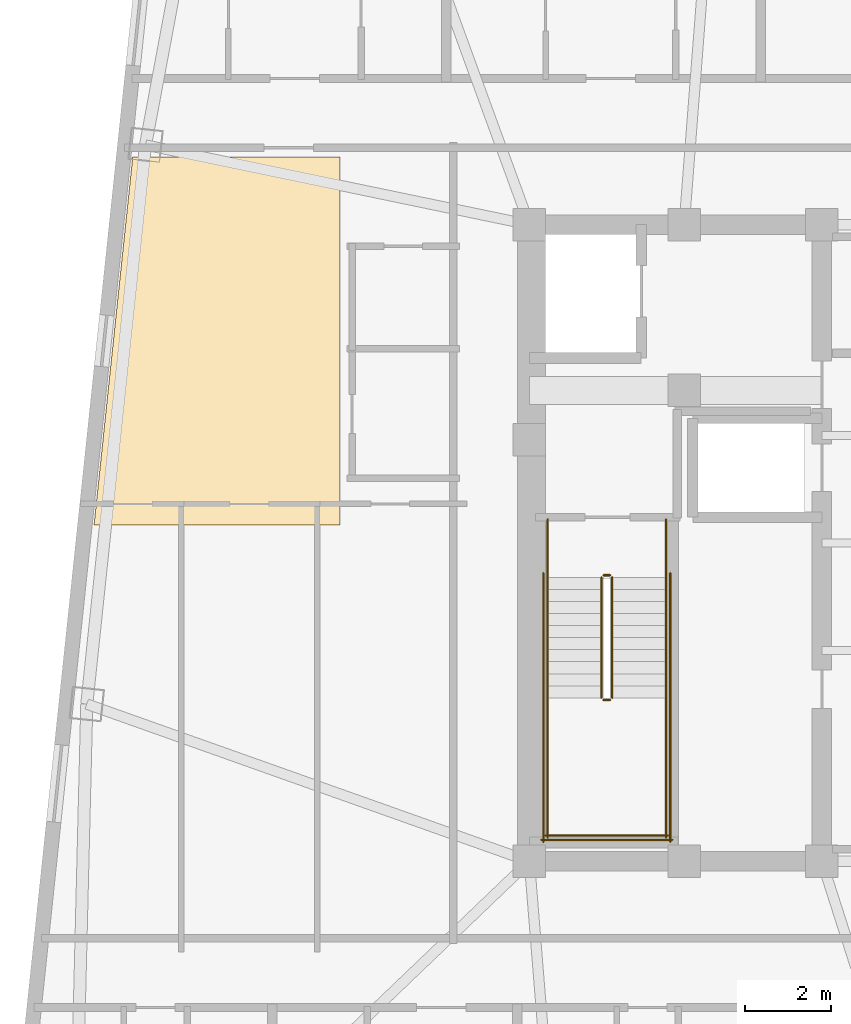
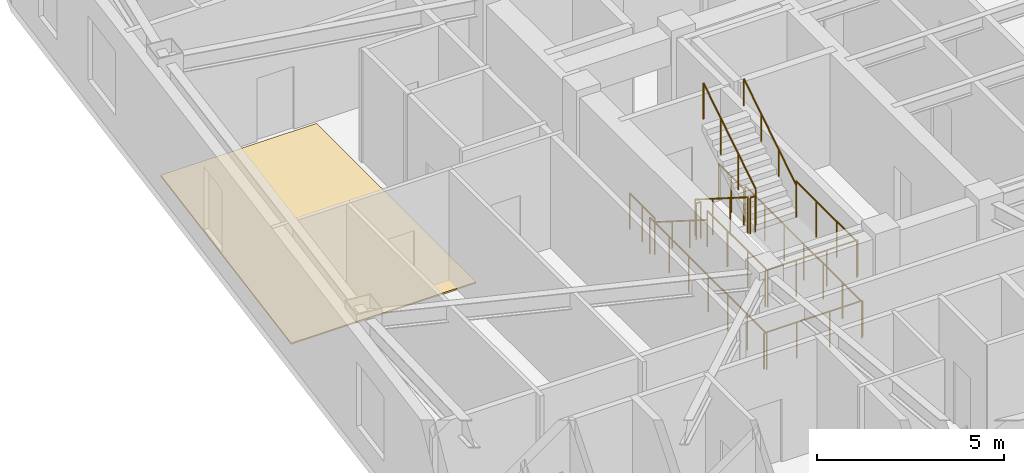
# One storey, part 10 of 11: 14 railings, 1 covering.
"""IFC4 building model written with IfcOpenShell, lengths in metres."""

from ifc_helpers import new_model, si_unit, direction, frame, origin, origin_2d, place, context, subcontext, project, spatial, polyline, circle, outline, extrude, material, layer, layer_set, type_object, element, save


model = new_model("IFC4")

# Units and contexts
model_context = context("Model", 3, precision=1e-05, world=origin(), true_north=direction((0.0, 1.0)))
body_context = subcontext(model_context, "Body", "Model", "MODEL_VIEW")
ifc_project = project(units=[si_unit("LENGTHUNIT", "METRE"), si_unit("AREAUNIT", "SQUARE_METRE"), si_unit("VOLUMEUNIT", "CUBIC_METRE"), si_unit("PLANEANGLEUNIT", "RADIAN"), si_unit("MASSUNIT", "GRAM", prefix="KILO")], contexts=[model_context])

# Site, building, storey
site_placement = place(None, origin())
site = spatial("IfcSite", under=ifc_project, at=site_placement, CompositionType="ELEMENT")
building_placement = place(site_placement, origin())
building = spatial("IfcBuilding", under=site, at=building_placement, Name="Voryun Gate Residences", CompositionType="ELEMENT")
storey_placement = place(building_placement, frame((0.0, 0.0, 279.5)))
storey = spatial("IfcBuildingStorey", under=building, at=storey_placement, Name="L69", CompositionType="ELEMENT", Elevation=279.5)

# Covering
ifc_material_1 = material(Name="Architectural oak flooring")
ifc_layer = layer(ifc_material_1, 0.044921875, Name="COV_FLOOR_ONDOL_OAK")
ifc_layer_set = layer_set([ifc_layer], Name="Architectural oak flooring")
covering_type = type_object("IfcCoveringType", Name="COV_FLOOR_ONDOL_OAK", PredefinedType="FLOORING", material=ifc_layer_set)
covering_placement = place(storey_placement, origin())
element("IfcCovering", 1, at=covering_placement, inside=storey, type_object=covering_type, Name="Ondol oak floor FLR-L69-01", PredefinedType="FLOORING", context=body_context, shape_type="SweptSolid", body=[
    extrude(outline(polyline([(-23.60009765625, 8.969970703125), (-23.60009765625, 0.419921875), (-29.3193359375, 0.419921875), (-28.420654296875, 8.969970703125), (-23.60009765625, 8.969970703125)])), origin(), (0.0, 0.0, 1.0), 0.044921875),
])

# Railings
ifc_material_2 = material(Name="Painted steel", Category="steel")
railing_type_1 = type_object("IfcRailingType", Name="RAIL_STAIR_GUARD_1200", PredefinedType="GUARDRAIL", material=ifc_material_2)
railing_1_placement = place(storey_placement, frame((-17.52490234375, -0.800048828125, 0.17724609375)))
element("IfcRailing", 2, at=railing_1_placement, inside=storey, type_object=railing_type_1, Name="L69 ST-W1 stair guard 1", PredefinedType="GUARDRAIL", context=body_context, shape_type="SweptSolid", body=[
    extrude(circle(Radius=0.02392578125, at=origin_2d()), frame((0.0, 0.0, 1.17578125), z_axis=(0.0, -0.844908973607, 0.534910110503), x_axis=(1.0, 0.0, 0.0)), (0.0, 0.0, 1.0), 3.31396484375),
    extrude(circle(Radius=0.02099609375, at=origin_2d()), origin(), (0.0, 0.0, 1.0), 1.15185546875),
    extrude(circle(Radius=0.02099609375, at=origin_2d()), frame((0.0, -0.933349609375, 0.5908203125)), (0.0, 0.0, 1.0), 1.15185546875),
    extrude(circle(Radius=0.02099609375, at=origin_2d()), frame((0.0, -1.86669921875, 1.181884765625)), (0.0, 0.0, 1.0), 1.15185546875),
    extrude(circle(Radius=0.02099609375, at=origin_2d()), frame((0.0, -2.800048828125, 1.772705078125)), (0.0, 0.0, 1.0), 1.15185546875),
])
railing_2_placement = place(storey_placement, frame((-17.47509765625, -3.64990234375, 1.949951171875)))
element("IfcRailing", 3, at=railing_2_placement, inside=storey, type_object=railing_type_1, Name="L69 ST-W1 stair guard 2", PredefinedType="GUARDRAIL", context=body_context, shape_type="SweptSolid", body=[
    extrude(circle(Radius=0.02392578125, at=origin_2d()), frame((0.0, 0.0, 1.17578125), z_axis=(1.0, 0.0, 0.0), x_axis=(0.0, 1.0, 0.0)), (0.0, 0.0, 1.0), 0.150146484375),
    extrude(circle(Radius=0.02099609375, at=origin_2d()), origin(), (0.0, 0.0, 1.0), 1.15185546875),
    extrude(circle(Radius=0.02099609375, at=origin_2d()), frame((0.150146484375, 0.0, 0.0)), (0.0, 0.0, 1.0), 1.15185546875),
])
for number, where, name in (
    (4, (-18.77490234375, -3.60009765625, 1.949951171875), "L69 ST-W1 stair guard 3"),
    (5, (-16.02490234375, -3.60009765625, 1.949951171875), "L69 ST-W1 stair guard 4"),
):
    element("IfcRailing", number, at=place(storey_placement, frame(where)), inside=storey, type_object=railing_type_1, Name=name, PredefinedType="GUARDRAIL", context=body_context, shape_type="SweptSolid", body=[
        extrude(circle(Radius=0.02392578125, at=origin_2d()), frame((0.0, 0.0, 1.17578125), z_axis=(0.0, -1.0, 0.0), x_axis=(1.0, 0.0, 0.0)), (0.0, 0.0, 1.0), 3.25),
        extrude(circle(Radius=0.02099609375, at=origin_2d()), origin(), (0.0, 0.0, 1.0), 1.15185546875),
        extrude(circle(Radius=0.02099609375, at=origin_2d()), frame((0.0, -1.083251953125, 0.0)), (0.0, 0.0, 1.0), 1.15185546875),
        extrude(circle(Radius=0.02099609375, at=origin_2d()), frame((0.0, -2.166748046875, 0.0)), (0.0, 0.0, 1.0), 1.15185546875),
        extrude(circle(Radius=0.02099609375, at=origin_2d()), frame((0.0, -3.25, 0.0)), (0.0, 0.0, 1.0), 1.15185546875),
    ])
railing_3_placement = place(storey_placement, frame((-18.824951171875, -6.800048828125, 1.949951171875)))
element("IfcRailing", 6, at=railing_3_placement, inside=storey, type_object=railing_type_1, Name="L69 ST-W1 stair guard 5", PredefinedType="GUARDRAIL", context=body_context, shape_type="SweptSolid", body=[
    extrude(circle(Radius=0.02392578125, at=origin_2d()), frame((0.0, 0.0, 1.17578125), z_axis=(1.0, 0.0, 0.0), x_axis=(0.0, 1.0, 0.0)), (0.0, 0.0, 1.0), 2.849853515625),
    extrude(circle(Radius=0.02099609375, at=origin_2d()), origin(), (0.0, 0.0, 1.0), 1.15185546875),
    extrude(circle(Radius=0.02099609375, at=origin_2d()), frame((0.949951171875, 0.0, 0.0)), (0.0, 0.0, 1.0), 1.15185546875),
    extrude(circle(Radius=0.02099609375, at=origin_2d()), frame((1.89990234375, 0.0, 0.0)), (0.0, 0.0, 1.0), 1.15185546875),
    extrude(circle(Radius=0.02099609375, at=origin_2d()), frame((2.849853515625, 0.0, 0.0)), (0.0, 0.0, 1.0), 1.15185546875),
])
railing_4_placement = place(storey_placement, frame((-17.27490234375, -3.60009765625, 2.127197265625)))
element("IfcRailing", 7, at=railing_4_placement, inside=storey, type_object=railing_type_1, Name="L69 ST-W1 stair guard 6", PredefinedType="GUARDRAIL", context=body_context, shape_type="SweptSolid", body=[
    extrude(circle(Radius=0.02392578125, at=origin_2d()), frame((0.0, 0.0, 1.17578125), z_axis=(0.0, 0.844908973607, 0.534910110503), x_axis=(-1.0, 0.0, 0.0)), (0.0, 0.0, 1.0), 3.31396484375),
    extrude(circle(Radius=0.02099609375, at=origin_2d()), origin(), (0.0, 0.0, 1.0), 1.15185546875),
    extrude(circle(Radius=0.02099609375, at=origin_2d()), frame((0.0, 0.933349609375, 0.5908203125)), (0.0, 0.0, 1.0), 1.15185546875),
    extrude(circle(Radius=0.02099609375, at=origin_2d()), frame((0.0, 1.86669921875, 1.181884765625)), (0.0, 0.0, 1.0), 1.15185546875),
    extrude(circle(Radius=0.02099609375, at=origin_2d()), frame((0.0, 2.800048828125, 1.772705078125)), (0.0, 0.0, 1.0), 1.15185546875),
])
railing_5_placement = place(storey_placement, frame((-17.47509765625, -0.75, 0.0)))
element("IfcRailing", 8, at=railing_5_placement, inside=storey, type_object=railing_type_1, Name="L69 ST-W1 stair guard 7", PredefinedType="GUARDRAIL", context=body_context, shape_type="SweptSolid", body=[
    extrude(circle(Radius=0.02392578125, at=origin_2d()), frame((0.0, 0.0, 1.17578125), z_axis=(1.0, 0.0, 0.0), x_axis=(0.0, 1.0, 0.0)), (0.0, 0.0, 1.0), 0.150146484375),
    extrude(circle(Radius=0.02099609375, at=origin_2d()), origin(), (0.0, 0.0, 1.0), 1.15185546875),
    extrude(circle(Radius=0.02099609375, at=origin_2d()), frame((0.150146484375, 0.0, 0.0)), (0.0, 0.0, 1.0), 1.15185546875),
])
for number, where, name in (
    (9, (-18.77490234375, 0.550048828125, 0.0), "L69 ST-W1 stair guard 8"),
    (10, (-16.02490234375, 0.550048828125, 0.0), "L69 ST-W1 stair guard 9"),
):
    element("IfcRailing", number, at=place(storey_placement, frame(where)), inside=storey, type_object=railing_type_1, Name=name, PredefinedType="GUARDRAIL", context=body_context, shape_type="SweptSolid", body=[
        extrude(circle(Radius=0.02392578125, at=origin_2d()), frame((0.0, 0.0, 1.17578125), z_axis=(0.0, -1.0, 0.0), x_axis=(1.0, 0.0, 0.0)), (0.0, 0.0, 1.0), 1.35009765625),
        extrude(circle(Radius=0.02099609375, at=origin_2d()), origin(), (0.0, 0.0, 1.0), 1.15185546875),
        extrude(circle(Radius=0.02099609375, at=origin_2d()), frame((0.0, -0.675048828125, 0.0)), (0.0, 0.0, 1.0), 1.15185546875),
        extrude(circle(Radius=0.02099609375, at=origin_2d()), frame((0.0, -1.35009765625, 0.0)), (0.0, 0.0, 1.0), 1.15185546875),
    ])
for number, where, name in (
    (11, (-18.875, -0.699951171875, 0.0), "L69 ST-W1 stair guard 10"),
    (12, (-15.925048828125, -0.699951171875, 0.0), "L69 ST-W1 stair guard 11"),
):
    element("IfcRailing", number, at=place(storey_placement, frame(where)), inside=storey, type_object=railing_type_1, Name=name, PredefinedType="GUARDRAIL", context=body_context, shape_type="SweptSolid", body=[
        extrude(circle(Radius=0.02392578125, at=origin_2d()), frame((0.0, 0.0, 1.17578125), z_axis=(0.0, -1.0, 0.0), x_axis=(1.0, 0.0, 0.0)), (0.0, 0.0, 1.0), 6.25),
        extrude(circle(Radius=0.02099609375, at=origin_2d()), origin(), (0.0, 0.0, 1.0), 1.15185546875),
        extrude(circle(Radius=0.02099609375, at=origin_2d()), frame((0.0, -1.041748046875, 0.0)), (0.0, 0.0, 1.0), 1.15185546875),
        extrude(circle(Radius=0.02099609375, at=origin_2d()), frame((0.0, -2.083251953125, 0.0)), (0.0, 0.0, 1.0), 1.15185546875),
        extrude(circle(Radius=0.02099609375, at=origin_2d()), frame((0.0, -3.125, 0.0)), (0.0, 0.0, 1.0), 1.15185546875),
        extrude(circle(Radius=0.02099609375, at=origin_2d()), frame((0.0, -4.166748046875, 0.0)), (0.0, 0.0, 1.0), 1.15185546875),
        extrude(circle(Radius=0.02099609375, at=origin_2d()), frame((0.0, -5.208251953125, 0.0)), (0.0, 0.0, 1.0), 1.15185546875),
        extrude(circle(Radius=0.02099609375, at=origin_2d()), frame((0.0, -6.25, 0.0)), (0.0, 0.0, 1.0), 1.15185546875),
    ])
railing_6_placement = place(storey_placement, frame((-18.925048828125, -6.89990234375, 0.0)))
element("IfcRailing", 13, at=railing_6_placement, inside=storey, type_object=railing_type_1, Name="L69 ST-W1 stair guard 12", PredefinedType="GUARDRAIL", context=body_context, shape_type="SweptSolid", body=[
    extrude(circle(Radius=0.02392578125, at=origin_2d()), frame((0.0, 0.0, 1.17578125), z_axis=(1.0, 0.0, 0.0), x_axis=(0.0, 1.0, 0.0)), (0.0, 0.0, 1.0), 3.050048828125),
    extrude(circle(Radius=0.02099609375, at=origin_2d()), origin(), (0.0, 0.0, 1.0), 1.15185546875),
    extrude(circle(Radius=0.02099609375, at=origin_2d()), frame((1.0166015625, 0.0, 0.0)), (0.0, 0.0, 1.0), 1.15185546875),
    extrude(circle(Radius=0.02099609375, at=origin_2d()), frame((2.033447265625, 0.0, 0.0)), (0.0, 0.0, 1.0), 1.15185546875),
    extrude(circle(Radius=0.02099609375, at=origin_2d()), frame((3.050048828125, 0.0, 0.0)), (0.0, 0.0, 1.0), 1.15185546875),
])
ifc_material_3 = material(Name="Painted steel", Category="steel")
railing_type_2 = type_object("IfcRailingType", Name="RAIL_STAIR_HANDRAIL_900", PredefinedType="HANDRAIL", material=ifc_material_3)
railing_7_placement = place(storey_placement, frame((-18.77490234375, -0.800048828125, 0.17724609375)))
element("IfcRailing", 14, at=railing_7_placement, inside=storey, type_object=railing_type_2, Name="L69 ST-W1 stair handrail 1", PredefinedType="HANDRAIL", context=body_context, shape_type="SweptSolid", body=[
    extrude(circle(Radius=0.02392578125, at=origin_2d()), frame((0.0, 0.0, 0.8759765625), z_axis=(0.0, -0.844908973607, 0.534910110503), x_axis=(1.0, 0.0, 0.0)), (0.0, 0.0, 1.0), 3.31396484375),
    extrude(circle(Radius=0.02099609375, at=origin_2d()), origin(), (0.0, 0.0, 1.0), 0.851806640625),
    extrude(circle(Radius=0.02099609375, at=origin_2d()), frame((0.0, -0.933349609375, 0.5908203125)), (0.0, 0.0, 1.0), 0.851806640625),
    extrude(circle(Radius=0.02099609375, at=origin_2d()), frame((0.0, -1.86669921875, 1.181884765625)), (0.0, 0.0, 1.0), 0.851806640625),
    extrude(circle(Radius=0.02099609375, at=origin_2d()), frame((0.0, -2.800048828125, 1.772705078125)), (0.0, 0.0, 1.0), 0.851806640625),
])
railing_8_placement = place(storey_placement, frame((-16.02490234375, -3.60009765625, 2.127197265625)))
element("IfcRailing", 15, at=railing_8_placement, inside=storey, type_object=railing_type_2, Name="L69 ST-W1 stair handrail 2", PredefinedType="HANDRAIL", context=body_context, shape_type="SweptSolid", body=[
    extrude(circle(Radius=0.02392578125, at=origin_2d()), frame((0.0, 0.0, 0.8759765625), z_axis=(0.0, 0.844908973607, 0.534910110503), x_axis=(-1.0, 0.0, 0.0)), (0.0, 0.0, 1.0), 3.31396484375),
    extrude(circle(Radius=0.02099609375, at=origin_2d()), origin(), (0.0, 0.0, 1.0), 0.851806640625),
    extrude(circle(Radius=0.02099609375, at=origin_2d()), frame((0.0, 0.933349609375, 0.5908203125)), (0.0, 0.0, 1.0), 0.851806640625),
    extrude(circle(Radius=0.02099609375, at=origin_2d()), frame((0.0, 1.86669921875, 1.181884765625)), (0.0, 0.0, 1.0), 0.851806640625),
    extrude(circle(Radius=0.02099609375, at=origin_2d()), frame((0.0, 2.800048828125, 1.772705078125)), (0.0, 0.0, 1.0), 0.851806640625),
])

save(model, "model.ifc")
